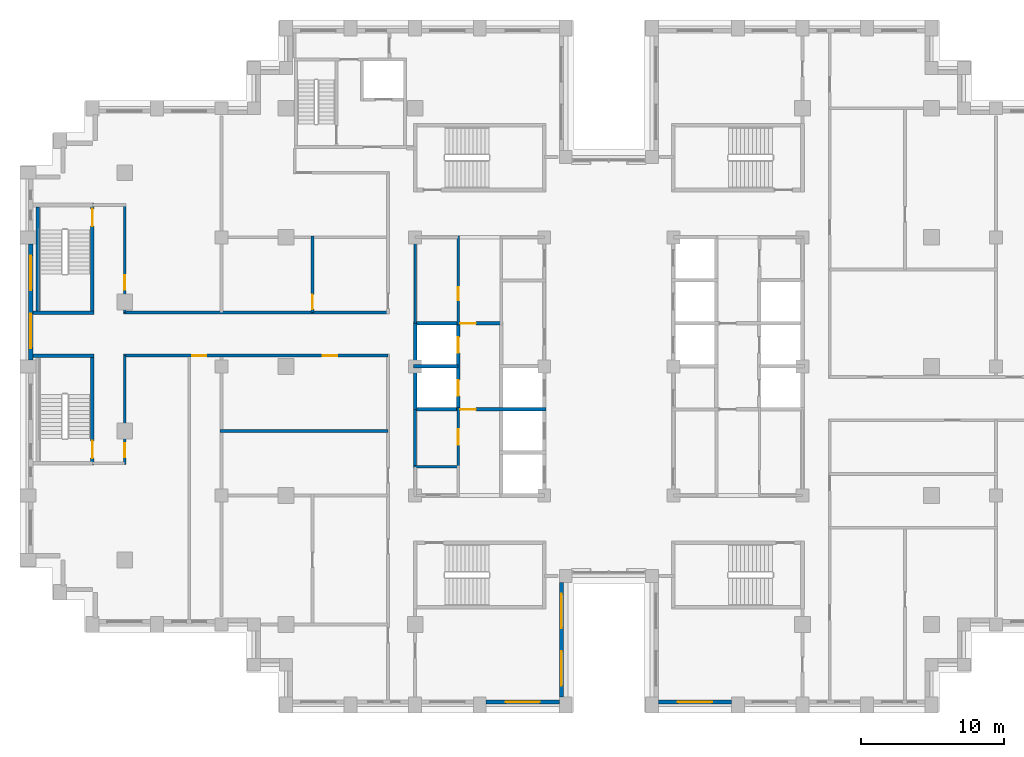
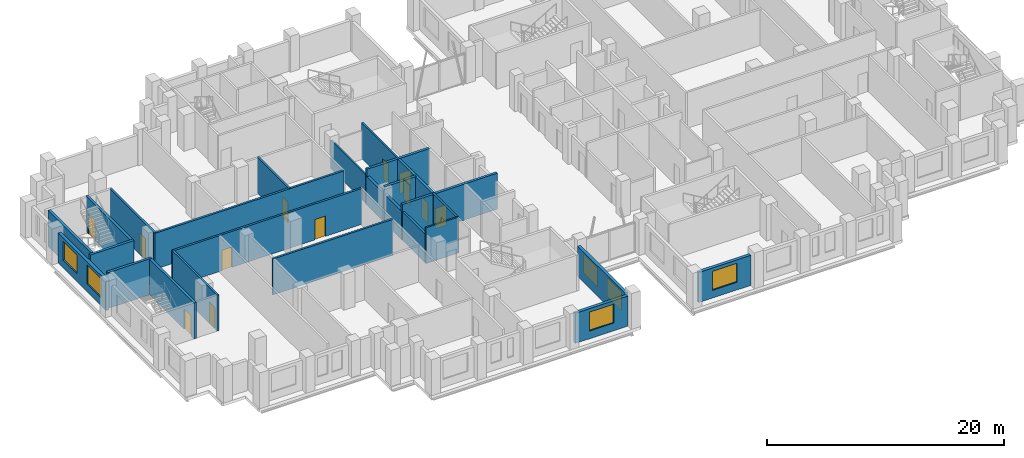
# One storey, part 7 of 16: 25 walls, 13 doors, 6 windows, 19 openings.
"""IFC4 building model written with IfcOpenShell, lengths in metres."""

from ifc_helpers import new_model, si_unit, direction, frame, frame_2d, origin, place, context, subcontext, project, spatial, rectangle, extrude, material, layer, layer_set, type_object, element, fill, save


model = new_model("IFC4")

# Units and contexts
model_context = context("Model", 3, precision=1e-05, world=origin(), true_north=direction((0.0, 1.0)))
body_context = subcontext(model_context, "Body", "Model", "MODEL_VIEW")
ifc_project = project(units=[si_unit("LENGTHUNIT", "METRE"), si_unit("AREAUNIT", "SQUARE_METRE"), si_unit("VOLUMEUNIT", "CUBIC_METRE"), si_unit("PLANEANGLEUNIT", "RADIAN"), si_unit("MASSUNIT", "GRAM", prefix="KILO")], contexts=[model_context])

# Site, building, storey
site_placement = place(None, origin())
site = spatial("IfcSite", under=ifc_project, at=site_placement, CompositionType="ELEMENT")
building_placement = place(site_placement, origin())
building = spatial("IfcBuilding", under=site, at=building_placement, Name="Corbelhall Arena Tower", CompositionType="ELEMENT")
storey_placement = place(building_placement, frame((0.0, 0.0, 170.0)))
storey = spatial("IfcBuildingStorey", under=building, at=storey_placement, Name="L34", CompositionType="ELEMENT", Elevation=170.0)

# Wall, openings, windows
ifc_material_1 = material(Name="Precast concrete C40/50 with granite facing", Category="masonry")
ifc_layer_1 = layer(ifc_material_1, 0.300048828125)
ifc_layer_set_1 = layer_set([ifc_layer_1], Name="EV-IW1 Infill panel 300")
wall_type_1 = type_object("IfcWallType", Name="EV-IW1 Infill panel 300", PredefinedType="SOLIDWALL", material=ifc_layer_set_1)
wall_1_placement = place(storey_placement, frame((-40.300048828125, 8.550048828125, 0.0), z_axis=(0.0, 0.0, 1.0), x_axis=(0.0, -1.0, 0.0)))
wall_1 = element("IfcWall", 1, at=wall_1_placement, inside=storey, type_object=wall_type_1, Name="Infill panel IW1", PredefinedType="SOLIDWALL", context=body_context, shape_type="SweptSolid", body=[
    extrude(rectangle(XDim=8.10009765625, YDim=0.300048828125, at=frame_2d((4.050048828125, 0.0))), origin(), (0.0, 0.0, 1.0), 3.10009765625),
])
opening_1_placement = place(wall_1_placement, frame((0.824951171875, 0.0, 0.800048828125)))
opening_1 = element("IfcOpeningElement", 2, at=opening_1_placement, cuts=wall_1, Name="Opening WN1", PredefinedType="OPENING", context=body_context, shape_type="SweptSolid", body=[
    extrude(rectangle(XDim=2.39990234375, YDim=1.949951171875, at=frame_2d((1.199951171875, 0.97509765625))), frame((0.0, 0.14990234375, 0.0), z_axis=(0.0, -1.0, 0.0), x_axis=(1.0, 0.0, 0.0)), (0.0, 0.0, 1.0), 0.300048828125),
])
opening_2_placement = place(wall_1_placement, frame((4.875, 0.0, 0.800048828125)))
opening_2 = element("IfcOpeningElement", 3, at=opening_2_placement, cuts=wall_1, Name="Opening WN1", PredefinedType="OPENING", context=body_context, shape_type="SweptSolid", body=[
    extrude(rectangle(XDim=2.39990234375, YDim=1.949951171875, at=frame_2d((1.199951171875, 0.97509765625))), frame((0.0, 0.14990234375, 0.0), z_axis=(0.0, -1.0, 0.0), x_axis=(1.0, 0.0, 0.0)), (0.0, 0.0, 1.0), 0.300048828125),
])
ifc_material_2 = material(Name="Aluminium black anodised", Category="aluminium")
window_type = type_object("IfcWindowType", Name="EV-WN1 Office window", PartitioningType="SINGLE_PANEL", PredefinedType="WINDOW", material=ifc_material_2)
window_1_placement = place(opening_1_placement, origin())
window_1 = element("IfcWindow", 4, at=window_1_placement, inside=storey, type_object=window_type, Name="Window WN1", OverallHeight=1.949951171875, OverallWidth=2.39990234375, PartitioningType="SINGLE_PANEL", PredefinedType="WINDOW", context=body_context, shape_type="SweptSolid", body=[
    extrude(rectangle(XDim=2.39990234375, YDim=1.949951171875, at=frame_2d((1.199951171875, 0.97509765625))), frame((0.0, 0.030029296875, 0.0), z_axis=(0.0, -1.0, 0.0), x_axis=(1.0, 0.0, 0.0)), (0.0, 0.0, 1.0), 0.06005859375),
])
fill(opening_1, window_1)
window_2_placement = place(opening_2_placement, origin())
window_2 = element("IfcWindow", 5, at=window_2_placement, inside=storey, type_object=window_type, Name="Window WN1", OverallHeight=1.949951171875, OverallWidth=2.39990234375, PartitioningType="SINGLE_PANEL", PredefinedType="WINDOW", context=body_context, shape_type="SweptSolid", body=[
    extrude(rectangle(XDim=2.39990234375, YDim=1.949951171875, at=frame_2d((1.199951171875, 0.97509765625))), frame((0.0, 0.030029296875, 0.0), z_axis=(0.0, -1.0, 0.0), x_axis=(1.0, 0.0, 0.0)), (0.0, 0.0, 1.0), 0.06005859375),
])
fill(opening_2, window_2)

# Wall, opening, window
wall_2_placement = place(storey_placement, frame((-8.550048828125, -23.39990234375, 0.0), z_axis=(0.0, 0.0, 1.0), x_axis=(1.0, 0.0, 0.0)))
wall_2 = element("IfcWall", 6, at=wall_2_placement, inside=storey, type_object=wall_type_1, Name="Infill panel IW1", PredefinedType="SOLIDWALL", context=body_context, shape_type="SweptSolid", body=[
    extrude(rectangle(XDim=5.10009765625, YDim=0.300048828125, at=frame_2d((2.550048828125, 0.0))), origin(), (0.0, 0.0, 1.0), 3.10009765625),
])
opening_3_placement = place(wall_2_placement, frame((1.35009765625, 0.0, 0.800048828125)))
opening_3 = element("IfcOpeningElement", 7, at=opening_3_placement, cuts=wall_2, Name="Opening WN1", PredefinedType="OPENING", context=body_context, shape_type="SweptSolid", body=[
    extrude(rectangle(XDim=2.39990234375, YDim=1.949951171875, at=frame_2d((1.199951171875, 0.97509765625))), frame((0.0, 0.14990234375, 0.0), z_axis=(0.0, -1.0, 0.0), x_axis=(1.0, 0.0, 0.0)), (0.0, 0.0, 1.0), 0.300048828125),
])
window_3_placement = place(opening_3_placement, origin())
window_3 = element("IfcWindow", 8, at=window_3_placement, inside=storey, type_object=window_type, Name="Window WN1", OverallHeight=1.949951171875, OverallWidth=2.39990234375, PartitioningType="SINGLE_PANEL", PredefinedType="WINDOW", context=body_context, shape_type="SweptSolid", body=[
    extrude(rectangle(XDim=2.39990234375, YDim=1.949951171875, at=frame_2d((1.199951171875, 0.97509765625))), frame((0.0, 0.030029296875, 0.0), z_axis=(0.0, -1.0, 0.0), x_axis=(1.0, 0.0, 0.0)), (0.0, 0.0, 1.0), 0.06005859375),
])
fill(opening_3, window_3)

# Wall, openings, windows
wall_3_placement = place(storey_placement, frame((-3.300048828125, -23.050048828125, 0.0), z_axis=(0.0, 0.0, 1.0), x_axis=(0.0, 1.0, 0.0)))
wall_3 = element("IfcWall", 9, at=wall_3_placement, inside=storey, type_object=wall_type_1, Name="Infill panel IW1", PredefinedType="SOLIDWALL", context=body_context, shape_type="SweptSolid", body=[
    extrude(rectangle(XDim=8.0, YDim=0.300048828125, at=frame_2d((4.0, 0.0))), origin(), (0.0, 0.0, 1.0), 3.10009765625),
])
opening_4_placement = place(wall_3_placement, frame((0.800048828125, 0.0, 0.800048828125)))
opening_4 = element("IfcOpeningElement", 10, at=opening_4_placement, cuts=wall_3, Name="Opening WN1", PredefinedType="OPENING", context=body_context, shape_type="SweptSolid", body=[
    extrude(rectangle(XDim=2.39990234375, YDim=1.949951171875, at=frame_2d((1.199951171875, 0.97509765625))), frame((0.0, 0.14990234375, 0.0), z_axis=(0.0, -1.0, 0.0), x_axis=(1.0, 0.0, 0.0)), (0.0, 0.0, 1.0), 0.300048828125),
])
opening_5_placement = place(wall_3_placement, frame((4.800048828125, 0.0, 0.800048828125)))
opening_5 = element("IfcOpeningElement", 11, at=opening_5_placement, cuts=wall_3, Name="Opening WN1", PredefinedType="OPENING", context=body_context, shape_type="SweptSolid", body=[
    extrude(rectangle(XDim=2.39990234375, YDim=1.949951171875, at=frame_2d((1.199951171875, 0.97509765625))), frame((0.0, 0.14990234375, 0.0), z_axis=(0.0, -1.0, 0.0), x_axis=(1.0, 0.0, 0.0)), (0.0, 0.0, 1.0), 0.300048828125),
])
window_4_placement = place(opening_4_placement, origin())
window_4 = element("IfcWindow", 12, at=window_4_placement, inside=storey, type_object=window_type, Name="Window WN1", OverallHeight=1.949951171875, OverallWidth=2.39990234375, PartitioningType="SINGLE_PANEL", PredefinedType="WINDOW", context=body_context, shape_type="SweptSolid", body=[
    extrude(rectangle(XDim=2.39990234375, YDim=1.949951171875, at=frame_2d((1.199951171875, 0.97509765625))), frame((0.0, 0.030029296875, 0.0), z_axis=(0.0, -1.0, 0.0), x_axis=(1.0, 0.0, 0.0)), (0.0, 0.0, 1.0), 0.06005859375),
])
fill(opening_4, window_4)
window_5_placement = place(opening_5_placement, origin())
window_5 = element("IfcWindow", 13, at=window_5_placement, inside=storey, type_object=window_type, Name="Window WN1", OverallHeight=1.949951171875, OverallWidth=2.39990234375, PartitioningType="SINGLE_PANEL", PredefinedType="WINDOW", context=body_context, shape_type="SweptSolid", body=[
    extrude(rectangle(XDim=2.39990234375, YDim=1.949951171875, at=frame_2d((1.199951171875, 0.97509765625))), frame((0.0, 0.030029296875, 0.0), z_axis=(0.0, -1.0, 0.0), x_axis=(1.0, 0.0, 0.0)), (0.0, 0.0, 1.0), 0.06005859375),
])
fill(opening_5, window_5)

# Wall, opening, window
wall_4_placement = place(storey_placement, frame((3.449951171875, -23.39990234375, 0.0), z_axis=(0.0, 0.0, 1.0), x_axis=(1.0, 0.0, 0.0)))
wall_4 = element("IfcWall", 14, at=wall_4_placement, inside=storey, type_object=wall_type_1, Name="Infill panel IW1", PredefinedType="SOLIDWALL", context=body_context, shape_type="SweptSolid", body=[
    extrude(rectangle(XDim=5.10009765625, YDim=0.300048828125, at=frame_2d((2.550048828125, 0.0))), origin(), (0.0, 0.0, 1.0), 3.10009765625),
])
opening_6_placement = place(wall_4_placement, frame((1.35009765625, 0.0, 0.800048828125)))
opening_6 = element("IfcOpeningElement", 15, at=opening_6_placement, cuts=wall_4, Name="Opening WN1", PredefinedType="OPENING", context=body_context, shape_type="SweptSolid", body=[
    extrude(rectangle(XDim=2.39990234375, YDim=1.949951171875, at=frame_2d((1.199951171875, 0.97509765625))), frame((0.0, 0.14990234375, 0.0), z_axis=(0.0, -1.0, 0.0), x_axis=(1.0, 0.0, 0.0)), (0.0, 0.0, 1.0), 0.300048828125),
])
window_6_placement = place(opening_6_placement, origin())
window_6 = element("IfcWindow", 16, at=window_6_placement, inside=storey, type_object=window_type, Name="Window WN1", OverallHeight=1.949951171875, OverallWidth=2.39990234375, PartitioningType="SINGLE_PANEL", PredefinedType="WINDOW", context=body_context, shape_type="SweptSolid", body=[
    extrude(rectangle(XDim=2.39990234375, YDim=1.949951171875, at=frame_2d((1.199951171875, 0.97509765625))), frame((0.0, 0.030029296875, 0.0), z_axis=(0.0, -1.0, 0.0), x_axis=(1.0, 0.0, 0.0)), (0.0, 0.0, 1.0), 0.06005859375),
])
fill(opening_6, window_6)

# Wall
ifc_material_3 = material(Name="Gypsum board on steel stud, acoustic", Category="steel")
ifc_layer_2 = layer(ifc_material_3, 0.199951171875)
ifc_layer_set_2 = layer_set([ifc_layer_2], Name="IN-W-DM200")
wall_type_2 = type_object("IfcWallType", Name="IN-W-DM200", PredefinedType="PARTITIONING", material=ifc_layer_set_2)
wall_5_placement = place(storey_placement, frame((-33.85009765625, 3.75, 0.0), z_axis=(0.0, 0.0, 1.0), x_axis=(1.0, 0.0, 0.0)))
element("IfcWall", 17, at=wall_5_placement, inside=storey, type_object=wall_type_2, Name="Partition 002", PredefinedType="PARTITIONING", context=body_context, shape_type="SweptSolid", body=[
    extrude(rectangle(XDim=18.4501953125, YDim=0.199951171875, at=frame_2d((9.22509765625, 0.0))), origin(), (0.0, 0.0, 1.0), 3.699951171875),
])

# Wall, opening, door
wall_6_placement = place(storey_placement, frame((-33.75, 0.75, 0.0), z_axis=(0.0, 0.0, 1.0), x_axis=(0.0, -1.0, 0.0)))
wall_6 = element("IfcWall", 18, at=wall_6_placement, inside=storey, type_object=wall_type_2, Name="Partition 004", PredefinedType="PARTITIONING", context=body_context, shape_type="SweptSolid", body=[
    extrude(rectangle(XDim=7.60009765625, YDim=0.199951171875, at=frame_2d((3.800048828125, 0.0))), origin(), (0.0, 0.0, 1.0), 3.699951171875),
])
opening_7_placement = place(wall_6_placement, frame((6.10009765625, 0.0, 0.0)))
opening_7 = element("IfcOpeningElement", 19, at=opening_7_placement, cuts=wall_6, Name="Opening 10043", PredefinedType="OPENING", context=body_context, shape_type="SweptSolid", body=[
    extrude(rectangle(XDim=1.0, YDim=2.10009765625, at=frame_2d((0.5, 1.050048828125))), frame((0.0, 0.10009765625, 0.0), z_axis=(0.0, -1.0, 0.0), x_axis=(1.0, 0.0, 0.0)), (0.0, 0.0, 1.0), 0.199951171875),
])
ifc_material_4 = material(Name="Steel door set", Category="steel")
door_type_1 = type_object("IfcDoorType", Name="IN-D-SW100", OperationType="NOTDEFINED", PredefinedType="DOOR", material=ifc_material_4)
door_1_placement = place(opening_7_placement, origin())
door_1 = element("IfcDoor", 20, at=door_1_placement, inside=storey, type_object=door_type_1, Name="Door 043", OperationType="SINGLE_SWING_RIGHT", OverallHeight=2.10009765625, OverallWidth=1.0, PredefinedType="DOOR", context=body_context, shape_type="SweptSolid", body=[
    extrude(rectangle(XDim=1.0, YDim=2.10009765625, at=frame_2d((0.5, 1.050048828125))), frame((0.0, 0.02490234375, 0.0), z_axis=(0.0, -1.0, 0.0), x_axis=(1.0, 0.0, 0.0)), (0.0, 0.0, 1.0), 0.050048828125),
])
fill(opening_7, door_1)

wall_7_placement = place(storey_placement, frame((-33.75, 11.25, 0.0), z_axis=(0.0, 0.0, 1.0), x_axis=(0.0, -1.0, 0.0)))
wall_7 = element("IfcWall", 21, at=wall_7_placement, inside=storey, type_object=wall_type_2, Name="Partition 005", PredefinedType="PARTITIONING", context=body_context, shape_type="SweptSolid", body=[
    extrude(rectangle(XDim=7.5, YDim=0.199951171875, at=frame_2d((3.75, 0.0))), origin(), (0.0, 0.0, 1.0), 3.699951171875),
])
opening_8_placement = place(wall_7_placement, frame((4.89990234375, 0.0, 0.0)))
opening_8 = element("IfcOpeningElement", 22, at=opening_8_placement, cuts=wall_7, Name="Opening 10042", PredefinedType="OPENING", context=body_context, shape_type="SweptSolid", body=[
    extrude(rectangle(XDim=1.0, YDim=2.10009765625, at=frame_2d((0.5, 1.050048828125))), frame((0.0, 0.10009765625, 0.0), z_axis=(0.0, -1.0, 0.0), x_axis=(1.0, 0.0, 0.0)), (0.0, 0.0, 1.0), 0.199951171875),
])
door_2_placement = place(opening_8_placement, origin())
door_2 = element("IfcDoor", 23, at=door_2_placement, inside=storey, type_object=door_type_1, Name="Door 042", OperationType="SINGLE_SWING_LEFT", OverallHeight=2.10009765625, OverallWidth=1.0, PredefinedType="DOOR", context=body_context, shape_type="SweptSolid", body=[
    extrude(rectangle(XDim=1.0, YDim=2.10009765625, at=frame_2d((0.5, 1.050048828125))), frame((0.0, 0.02490234375, 0.0), z_axis=(0.0, -1.0, 0.0), x_axis=(1.0, 0.0, 0.0)), (0.0, 0.0, 1.0), 0.050048828125),
])
fill(opening_8, door_2)

# Wall, openings, doors
wall_8_placement = place(storey_placement, frame((-15.39990234375, 0.75, 0.0), z_axis=(0.0, 0.0, 1.0), x_axis=(-1.0, 0.0, 0.0)))
wall_8 = element("IfcWall", 24, at=wall_8_placement, inside=storey, type_object=wall_type_2, Name="Partition 007", PredefinedType="PARTITIONING", context=body_context, shape_type="SweptSolid", body=[
    extrude(rectangle(XDim=18.4501953125, YDim=0.199951171875, at=frame_2d((9.22509765625, 0.0))), origin(), (0.0, 0.0, 1.0), 3.699951171875),
])
opening_9_placement = place(wall_8_placement, frame((3.550048828125, 0.0, 0.0)))
opening_9 = element("IfcOpeningElement", 25, at=opening_9_placement, cuts=wall_8, Name="Opening 10033", PredefinedType="OPENING", context=body_context, shape_type="SweptSolid", body=[
    extrude(rectangle(XDim=1.0, YDim=2.10009765625, at=frame_2d((0.5, 1.050048828125))), frame((0.0, 0.10009765625, 0.0), z_axis=(0.0, -1.0, 0.0), x_axis=(1.0, 0.0, 0.0)), (0.0, 0.0, 1.0), 0.199951171875),
])
opening_10_placement = place(wall_8_placement, frame((12.64990234375, 0.0, 0.0)))
opening_10 = element("IfcOpeningElement", 26, at=opening_10_placement, cuts=wall_8, Name="Opening 10044", PredefinedType="OPENING", context=body_context, shape_type="SweptSolid", body=[
    extrude(rectangle(XDim=1.0, YDim=2.10009765625, at=frame_2d((0.5, 1.050048828125))), frame((0.0, 0.10009765625, 0.0), z_axis=(0.0, -1.0, 0.0), x_axis=(1.0, 0.0, 0.0)), (0.0, 0.0, 1.0), 0.199951171875),
])
door_3_placement = place(opening_9_placement, origin())
door_3 = element("IfcDoor", 27, at=door_3_placement, inside=storey, type_object=door_type_1, Name="Door 033", OperationType="SINGLE_SWING_RIGHT", OverallHeight=2.10009765625, OverallWidth=1.0, PredefinedType="DOOR", context=body_context, shape_type="SweptSolid", body=[
    extrude(rectangle(XDim=1.0, YDim=2.10009765625, at=frame_2d((0.5, 1.050048828125))), frame((0.0, 0.02490234375, 0.0), z_axis=(0.0, -1.0, 0.0), x_axis=(1.0, 0.0, 0.0)), (0.0, 0.0, 1.0), 0.050048828125),
])
fill(opening_9, door_3)
door_4_placement = place(opening_10_placement, origin())
door_4 = element("IfcDoor", 28, at=door_4_placement, inside=storey, type_object=door_type_1, Name="Door 044", OperationType="SINGLE_SWING_LEFT", OverallHeight=2.10009765625, OverallWidth=1.0, PredefinedType="DOOR", context=body_context, shape_type="SweptSolid", body=[
    extrude(rectangle(XDim=1.0, YDim=2.10009765625, at=frame_2d((0.5, 1.050048828125))), frame((0.0, 0.02490234375, 0.0), z_axis=(0.0, -1.0, 0.0), x_axis=(1.0, 0.0, 0.0)), (0.0, 0.0, 1.0), 0.050048828125),
])
fill(opening_10, door_4)

# Wall
wall_9_placement = place(storey_placement, frame((-27.10009765625, -4.5, 0.0), z_axis=(0.0, 0.0, 1.0), x_axis=(1.0, 0.0, 0.0)))
element("IfcWall", 29, at=wall_9_placement, inside=storey, type_object=wall_type_2, Name="Partition 009", PredefinedType="PARTITIONING", context=body_context, shape_type="SweptSolid", body=[
    extrude(rectangle(XDim=11.7001953125, YDim=0.199951171875, at=frame_2d((5.85009765625, 0.0))), origin(), (0.0, 0.0, 1.0), 3.699951171875),
])

# Wall, opening, door
wall_10_placement = place(storey_placement, frame((-20.64990234375, 3.75, 0.0), z_axis=(0.0, 0.0, 1.0), x_axis=(0.0, 1.0, 0.0)))
wall_10 = element("IfcWall", 30, at=wall_10_placement, inside=storey, type_object=wall_type_2, Name="Partition 017", PredefinedType="PARTITIONING", context=body_context, shape_type="SweptSolid", body=[
    extrude(rectangle(XDim=5.35009765625, YDim=0.199951171875, at=frame_2d((2.675048828125, 0.0))), origin(), (0.0, 0.0, 1.0), 3.699951171875),
])
opening_11_placement = place(wall_10_placement, frame((0.25, 0.0, 0.0)))
opening_11 = element("IfcOpeningElement", 31, at=opening_11_placement, cuts=wall_10, Name="Opening 10027", PredefinedType="OPENING", context=body_context, shape_type="SweptSolid", body=[
    extrude(rectangle(XDim=1.0, YDim=2.10009765625, at=frame_2d((0.5, 1.050048828125))), frame((0.0, 0.10009765625, 0.0), z_axis=(0.0, -1.0, 0.0), x_axis=(1.0, 0.0, 0.0)), (0.0, 0.0, 1.0), 0.199951171875),
])
door_5_placement = place(opening_11_placement, origin())
door_5 = element("IfcDoor", 32, at=door_5_placement, inside=storey, type_object=door_type_1, Name="Door 027", OperationType="SINGLE_SWING_RIGHT", OverallHeight=2.10009765625, OverallWidth=1.0, PredefinedType="DOOR", context=body_context, shape_type="SweptSolid", body=[
    extrude(rectangle(XDim=1.0, YDim=2.10009765625, at=frame_2d((0.5, 1.050048828125))), frame((0.0, 0.02490234375, 0.0), z_axis=(0.0, -1.0, 0.0), x_axis=(1.0, 0.0, 0.0)), (0.0, 0.0, 1.0), 0.050048828125),
])
fill(opening_11, door_5)

ifc_material_5 = material(Name="Concrete block wall", Category="concrete")
ifc_layer_3 = layer(ifc_material_5, 0.199951171875)
ifc_layer_set_3 = layer_set([ifc_layer_3], Name="IN-W-RS200")
wall_type_3 = type_object("IfcWallType", Name="IN-W-RS200", PredefinedType="SOLIDWALL", material=ifc_layer_set_3)
wall_11_placement = place(storey_placement, frame((-10.5, -7.074951171875, 0.0), z_axis=(0.0, 0.0, 1.0), x_axis=(0.0, 1.0, 0.0)))
wall_11 = element("IfcWall", 33, at=wall_11_placement, inside=storey, type_object=wall_type_3, Name="Partition 049", PredefinedType="SOLIDWALL", context=body_context, shape_type="SweptSolid", body=[
    extrude(rectangle(XDim=4.199951171875, YDim=0.199951171875, at=frame_2d((2.10009765625, 0.0))), origin(), (0.0, 0.0, 1.0), 3.699951171875),
])
opening_12_placement = place(wall_11_placement, frame((1.60009765625, 0.0, 0.0)))
opening_12 = element("IfcOpeningElement", 34, at=opening_12_placement, cuts=wall_11, Name="Opening 10006", PredefinedType="OPENING", context=body_context, shape_type="SweptSolid", body=[
    extrude(rectangle(XDim=1.10009765625, YDim=2.10009765625, at=frame_2d((0.550048828125, 1.050048828125))), frame((0.0, 0.10009765625, 0.0), z_axis=(0.0, -1.0, 0.0), x_axis=(1.0, 0.0, 0.0)), (0.0, 0.0, 1.0), 0.199951171875),
])
door_type_2 = type_object("IfcDoorType", Name="IN-D-FD110", OperationType="NOTDEFINED", PredefinedType="DOOR", material=ifc_material_4)
door_6_placement = place(opening_12_placement, origin())
door_6 = element("IfcDoor", 35, at=door_6_placement, inside=storey, type_object=door_type_2, Name="Door 006", OperationType="SINGLE_SWING_LEFT", OverallHeight=2.10009765625, OverallWidth=1.10009765625, PredefinedType="DOOR", context=body_context, shape_type="SweptSolid", body=[
    extrude(rectangle(XDim=1.10009765625, YDim=2.10009765625, at=frame_2d((0.550048828125, 1.050048828125))), frame((0.0, 0.02490234375, 0.0), z_axis=(0.0, -1.0, 0.0), x_axis=(1.0, 0.0, 0.0)), (0.0, 0.0, 1.0), 0.050048828125),
])
fill(opening_12, door_6)

# Walls
ifc_layer_4 = layer(ifc_material_5, 0.199951171875)
ifc_layer_set_4 = layer_set([ifc_layer_4], Name="IN-W-RS200 under beam 762 mm")
wall_type_4 = type_object("IfcWallType", Name="IN-W-RS200 under beam 762 mm", PredefinedType="SOLIDWALL", material=ifc_layer_set_4)
wall_12_placement = place(storey_placement, frame((-13.5, -7.0, 0.0), z_axis=(0.0, 0.0, 1.0), x_axis=(0.0, 1.0, 0.0)))
element("IfcWall", 36, at=wall_12_placement, inside=storey, type_object=wall_type_4, Name="Partition 048", PredefinedType="SOLIDWALL", context=body_context, shape_type="SweptSolid", body=[
    extrude(rectangle(XDim=4.0, YDim=0.199951171875, at=frame_2d((2.0, 0.0))), origin(), (0.0, 0.0, 1.0), 2.93798828125),
])
ifc_material_6 = material(Name="Concrete C40/50", Category="concrete")
ifc_layer_5 = layer(ifc_material_6, 0.25)
ifc_layer_set_5 = layer_set([ifc_layer_5], Name="IN-W-SH250")
wall_type_5 = type_object("IfcWallType", Name="IN-W-SH250", PredefinedType="SOLIDWALL", material=ifc_layer_set_5)
wall_13_placement = place(storey_placement, frame((-13.625, 0.0, 0.0), z_axis=(0.0, 0.0, 1.0), x_axis=(1.0, 0.0, 0.0)))
element("IfcWall", 37, at=wall_13_placement, inside=storey, type_object=wall_type_5, Name="Shaft wall 061", PredefinedType="SOLIDWALL", context=body_context, shape_type="SweptSolid", body=[
    extrude(rectangle(XDim=3.125, YDim=0.25, at=frame_2d((1.5625, 0.0))), origin(), (0.0, 0.0, 1.0), 3.699951171875),
])

# Wall, opening, door
wall_14_placement = place(storey_placement, frame((-13.625, 3.0, 0.0), z_axis=(0.0, 0.0, 1.0), x_axis=(1.0, 0.0, 0.0)))
wall_14 = element("IfcWall", 38, at=wall_14_placement, inside=storey, type_object=wall_type_5, Name="Shaft wall 062", PredefinedType="SOLIDWALL", context=body_context, shape_type="SweptSolid", body=[
    extrude(rectangle(XDim=6.125, YDim=0.25, at=frame_2d((3.0625, 0.0))), origin(), (0.0, 0.0, 1.0), 3.699951171875),
])
opening_13_placement = place(wall_14_placement, frame((3.25, 0.0, 0.0)))
opening_13 = element("IfcOpeningElement", 39, at=opening_13_placement, cuts=wall_14, Name="Opening 10004", PredefinedType="OPENING", context=body_context, shape_type="SweptSolid", body=[
    extrude(rectangle(XDim=1.10009765625, YDim=2.10009765625, at=frame_2d((0.550048828125, 1.050048828125))), frame((0.0, 0.125, 0.0), z_axis=(0.0, -1.0, 0.0), x_axis=(1.0, 0.0, 0.0)), (0.0, 0.0, 1.0), 0.25),
])
door_7_placement = place(opening_13_placement, origin())
door_7 = element("IfcDoor", 40, at=door_7_placement, inside=storey, type_object=door_type_2, Name="Door 004", OperationType="SINGLE_SWING_LEFT", OverallHeight=2.10009765625, OverallWidth=1.10009765625, PredefinedType="DOOR", context=body_context, shape_type="SweptSolid", body=[
    extrude(rectangle(XDim=1.10009765625, YDim=2.10009765625, at=frame_2d((0.550048828125, 1.050048828125))), frame((0.0, 0.02490234375, 0.0), z_axis=(0.0, -1.0, 0.0), x_axis=(1.0, 0.0, 0.0)), (0.0, 0.0, 1.0), 0.050048828125),
])
fill(opening_13, door_7)

wall_15_placement = place(storey_placement, frame((-13.625, -3.0, 0.0), z_axis=(0.0, 0.0, 1.0), x_axis=(1.0, 0.0, 0.0)))
wall_15 = element("IfcWall", 41, at=wall_15_placement, inside=storey, type_object=wall_type_5, Name="Shaft wall 064", PredefinedType="SOLIDWALL", context=body_context, shape_type="SweptSolid", body=[
    extrude(rectangle(XDim=9.25, YDim=0.25, at=frame_2d((4.625, 0.0))), origin(), (0.0, 0.0, 1.0), 3.699951171875),
])
opening_14_placement = place(wall_15_placement, frame((3.25, 0.0, 0.0)))
opening_14 = element("IfcOpeningElement", 42, at=opening_14_placement, cuts=wall_15, Name="Opening 10003", PredefinedType="OPENING", context=body_context, shape_type="SweptSolid", body=[
    extrude(rectangle(XDim=1.10009765625, YDim=2.10009765625, at=frame_2d((0.550048828125, 1.050048828125))), frame((0.0, 0.125, 0.0), z_axis=(0.0, -1.0, 0.0), x_axis=(1.0, 0.0, 0.0)), (0.0, 0.0, 1.0), 0.25),
])
door_8_placement = place(opening_14_placement, origin())
door_8 = element("IfcDoor", 43, at=door_8_placement, inside=storey, type_object=door_type_2, Name="Door 003", OperationType="SINGLE_SWING_RIGHT", OverallHeight=2.10009765625, OverallWidth=1.10009765625, PredefinedType="DOOR", context=body_context, shape_type="SweptSolid", body=[
    extrude(rectangle(XDim=1.10009765625, YDim=2.10009765625, at=frame_2d((0.550048828125, 1.050048828125))), frame((0.0, 0.02490234375, 0.0), z_axis=(0.0, -1.0, 0.0), x_axis=(1.0, 0.0, 0.0)), (0.0, 0.0, 1.0), 0.050048828125),
])
fill(opening_14, door_8)

# Wall, openings, doors
wall_16_placement = place(storey_placement, frame((-10.5, -3.125, 0.0), z_axis=(0.0, 0.0, 1.0), x_axis=(0.0, 1.0, 0.0)))
wall_16 = element("IfcWall", 44, at=wall_16_placement, inside=storey, type_object=wall_type_5, Name="Shaft wall 065", PredefinedType="SOLIDWALL", context=body_context, shape_type="SweptSolid", body=[
    extrude(rectangle(XDim=6.25, YDim=0.25, at=frame_2d((3.125, 0.0))), origin(), (0.0, 0.0, 1.0), 3.699951171875),
])
opening_15_placement = place(wall_16_placement, frame((1.074951171875, 0.0, 0.0)))
opening_15 = element("IfcOpeningElement", 45, at=opening_15_placement, cuts=wall_16, Name="Opening LD", PredefinedType="OPENING", context=body_context, shape_type="SweptSolid", body=[
    extrude(rectangle(XDim=1.10009765625, YDim=2.10009765625, at=frame_2d((0.550048828125, 1.050048828125))), frame((0.0, 0.125, 0.0), z_axis=(0.0, -1.0, 0.0), x_axis=(1.0, 0.0, 0.0)), (0.0, 0.0, 1.0), 0.25),
])
opening_16_placement = place(wall_16_placement, frame((4.074951171875, 0.0, 0.0)))
opening_16 = element("IfcOpeningElement", 46, at=opening_16_placement, cuts=wall_16, Name="Opening LD", PredefinedType="OPENING", context=body_context, shape_type="SweptSolid", body=[
    extrude(rectangle(XDim=1.10009765625, YDim=2.10009765625, at=frame_2d((0.550048828125, 1.050048828125))), frame((0.0, 0.125, 0.0), z_axis=(0.0, -1.0, 0.0), x_axis=(1.0, 0.0, 0.0)), (0.0, 0.0, 1.0), 0.25),
])
door_type_3 = type_object("IfcDoorType", Name="IN-D-LD110", OperationType="NOTDEFINED", PredefinedType="DOOR", material=ifc_material_4)
door_9_placement = place(opening_15_placement, origin())
door_9 = element("IfcDoor", 47, at=door_9_placement, inside=storey, type_object=door_type_3, Name="Landing door W3", OperationType="SLIDING_TO_LEFT", OverallHeight=2.10009765625, OverallWidth=1.10009765625, PredefinedType="DOOR", context=body_context, shape_type="SweptSolid", body=[
    extrude(rectangle(XDim=1.10009765625, YDim=2.10009765625, at=frame_2d((0.550048828125, 1.050048828125))), frame((0.0, 0.02490234375, 0.0), z_axis=(0.0, -1.0, 0.0), x_axis=(1.0, 0.0, 0.0)), (0.0, 0.0, 1.0), 0.050048828125),
])
fill(opening_15, door_9)
door_10_placement = place(opening_16_placement, origin())
door_10 = element("IfcDoor", 48, at=door_10_placement, inside=storey, type_object=door_type_3, Name="Landing door W4", OperationType="SLIDING_TO_LEFT", OverallHeight=2.10009765625, OverallWidth=1.10009765625, PredefinedType="DOOR", context=body_context, shape_type="SweptSolid", body=[
    extrude(rectangle(XDim=1.10009765625, YDim=2.10009765625, at=frame_2d((0.550048828125, 1.050048828125))), frame((0.0, 0.02490234375, 0.0), z_axis=(0.0, -1.0, 0.0), x_axis=(1.0, 0.0, 0.0)), (0.0, 0.0, 1.0), 0.050048828125),
])
fill(opening_16, door_10)

# Walls
ifc_layer_6 = layer(ifc_material_6, 0.25)
ifc_layer_set_6 = layer_set([ifc_layer_6], Name="IN-W-SH250 under beam 762 mm")
wall_type_6 = type_object("IfcWallType", Name="IN-W-SH250 under beam 762 mm", PredefinedType="SOLIDWALL", material=ifc_layer_set_6)
wall_17_placement = place(storey_placement, frame((-13.5, -3.0, 0.0), z_axis=(0.0, 0.0, 1.0), x_axis=(0.0, 1.0, 0.0)))
element("IfcWall", 49, at=wall_17_placement, inside=storey, type_object=wall_type_6, Name="Shaft wall 063", PredefinedType="SOLIDWALL", context=body_context, shape_type="SweptSolid", body=[
    extrude(rectangle(XDim=6.0, YDim=0.25, at=frame_2d((3.0, 0.0))), origin(), (0.0, 0.0, 1.0), 2.93798828125),
])
ifc_layer_7 = layer(ifc_material_6, 0.25)
ifc_layer_set_7 = layer_set([ifc_layer_7], Name="IN-W-ST250")
wall_type_7 = type_object("IfcWallType", Name="IN-W-ST250", PredefinedType="SOLIDWALL", material=ifc_layer_set_7)
wall_18_placement = place(storey_placement, frame((-40.14990234375, 3.75, 0.0), z_axis=(0.0, 0.0, 1.0), x_axis=(1.0, 0.0, 0.0)))
element("IfcWall", 50, at=wall_18_placement, inside=storey, type_object=wall_type_7, Name="Shaft wall 082", PredefinedType="SOLIDWALL", context=body_context, shape_type="SweptSolid", body=[
    extrude(rectangle(XDim=4.27490234375, YDim=0.25, at=frame_2d((2.137451171875, 0.0))), origin(), (0.0, 0.0, 1.0), 3.699951171875),
])

# Wall, opening, door
wall_19_placement = place(storey_placement, frame((-36.0, 0.75, 0.0), z_axis=(0.0, 0.0, 1.0), x_axis=(0.0, -1.0, 0.0)))
wall_19 = element("IfcWall", 51, at=wall_19_placement, inside=storey, type_object=wall_type_7, Name="Shaft wall 085", PredefinedType="SOLIDWALL", context=body_context, shape_type="SweptSolid", body=[
    extrude(rectangle(XDim=7.625, YDim=0.25, at=frame_2d((3.8125, 0.0))), origin(), (0.0, 0.0, 1.0), 3.699951171875),
])
opening_17_placement = place(wall_19_placement, frame((5.949951171875, 0.0, 0.0)))
opening_17 = element("IfcOpeningElement", 52, at=opening_17_placement, cuts=wall_19, Name="Opening 10019", PredefinedType="OPENING", context=body_context, shape_type="SweptSolid", body=[
    extrude(rectangle(XDim=1.199951171875, YDim=2.10009765625, at=frame_2d((0.60009765625, 1.050048828125))), frame((0.0, 0.125, 0.0), z_axis=(0.0, -1.0, 0.0), x_axis=(1.0, 0.0, 0.0)), (0.0, 0.0, 1.0), 0.25),
])
door_type_4 = type_object("IfcDoorType", Name="IN-D-ST120", OperationType="NOTDEFINED", PredefinedType="DOOR", material=ifc_material_4)
door_11_placement = place(opening_17_placement, origin())
door_11 = element("IfcDoor", 53, at=door_11_placement, inside=storey, type_object=door_type_4, Name="Door 019", OperationType="SINGLE_SWING_RIGHT", OverallHeight=2.10009765625, OverallWidth=1.199951171875, PredefinedType="DOOR", context=body_context, shape_type="SweptSolid", body=[
    extrude(rectangle(XDim=1.199951171875, YDim=2.10009765625, at=frame_2d((0.60009765625, 1.050048828125))), frame((0.0, 0.02490234375, 0.0), z_axis=(0.0, -1.0, 0.0), x_axis=(1.0, 0.0, 0.0)), (0.0, 0.0, 1.0), 0.050048828125),
])
fill(opening_17, door_11)

wall_20_placement = place(storey_placement, frame((-36.0, 11.375, 0.0), z_axis=(0.0, 0.0, 1.0), x_axis=(0.0, -1.0, 0.0)))
wall_20 = element("IfcWall", 54, at=wall_20_placement, inside=storey, type_object=wall_type_7, Name="Shaft wall 086", PredefinedType="SOLIDWALL", context=body_context, shape_type="SweptSolid", body=[
    extrude(rectangle(XDim=7.625, YDim=0.25, at=frame_2d((3.8125, 0.0))), origin(), (0.0, 0.0, 1.0), 3.699951171875),
])
opening_18_placement = place(wall_20_placement, frame((0.39990234375, 0.0, 0.0)))
opening_18 = element("IfcOpeningElement", 55, at=opening_18_placement, cuts=wall_20, Name="Opening 10018", PredefinedType="OPENING", context=body_context, shape_type="SweptSolid", body=[
    extrude(rectangle(XDim=1.199951171875, YDim=2.10009765625, at=frame_2d((0.60009765625, 1.050048828125))), frame((0.0, 0.125, 0.0), z_axis=(0.0, -1.0, 0.0), x_axis=(1.0, 0.0, 0.0)), (0.0, 0.0, 1.0), 0.25),
])
door_12_placement = place(opening_18_placement, origin())
door_12 = element("IfcDoor", 56, at=door_12_placement, inside=storey, type_object=door_type_4, Name="Door 018", OperationType="SINGLE_SWING_LEFT", OverallHeight=2.10009765625, OverallWidth=1.199951171875, PredefinedType="DOOR", context=body_context, shape_type="SweptSolid", body=[
    extrude(rectangle(XDim=1.199951171875, YDim=2.10009765625, at=frame_2d((0.60009765625, 1.050048828125))), frame((0.0, 0.02490234375, 0.0), z_axis=(0.0, -1.0, 0.0), x_axis=(1.0, 0.0, 0.0)), (0.0, 0.0, 1.0), 0.050048828125),
])
fill(opening_18, door_12)

# Walls
wall_21_placement = place(storey_placement, frame((-35.875, 0.75, 0.0), z_axis=(0.0, 0.0, 1.0), x_axis=(-1.0, 0.0, 0.0)))
element("IfcWall", 57, at=wall_21_placement, inside=storey, type_object=wall_type_7, Name="Shaft wall 087", PredefinedType="SOLIDWALL", context=body_context, shape_type="SweptSolid", body=[
    extrude(rectangle(XDim=4.27490234375, YDim=0.25, at=frame_2d((2.137451171875, 0.0))), origin(), (0.0, 0.0, 1.0), 3.699951171875),
])
wall_22_placement = place(storey_placement, frame((-39.824951171875, 3.875, 0.0), z_axis=(0.0, 0.0, 1.0), x_axis=(0.0, 1.0, 0.0)))
element("IfcWall", 58, at=wall_22_placement, inside=storey, type_object=wall_type_7, Name="Shaft wall SC1 facade side", PredefinedType="SOLIDWALL", context=body_context, shape_type="SweptSolid", body=[
    extrude(rectangle(XDim=7.25, YDim=0.25, at=frame_2d((3.625, 0.0))), origin(), (0.0, 0.0, 1.0), 3.699951171875),
])
ifc_material_7 = material(Name="Gypsum board on steel stud, moisture resistant", Category="steel")
ifc_layer_8 = layer(ifc_material_7, 0.14990234375)
ifc_layer_set_8 = layer_set([ifc_layer_8], Name="IN-W-WC150")
wall_type_8 = type_object("IfcWallType", Name="IN-W-WC150", PredefinedType="PARTITIONING", material=ifc_layer_set_8)
wall_23_placement = place(storey_placement, frame((-13.60009765625, -7.0, 0.0), z_axis=(0.0, 0.0, 1.0), x_axis=(1.0, 0.0, 0.0)))
element("IfcWall", 59, at=wall_23_placement, inside=storey, type_object=wall_type_8, Name="Partition 110", PredefinedType="PARTITIONING", context=body_context, shape_type="SweptSolid", body=[
    extrude(rectangle(XDim=3.10009765625, YDim=0.14990234375, at=frame_2d((1.550048828125, 0.0))), origin(), (0.0, 0.0, 1.0), 3.699951171875),
])

# Wall, opening, door
wall_24_placement = place(storey_placement, frame((-10.5, 2.875, 0.0), z_axis=(0.0, 0.0, 1.0), x_axis=(0.0, 1.0, 0.0)))
wall_24 = element("IfcWall", 60, at=wall_24_placement, inside=storey, type_object=wall_type_8, Name="Partition 116", PredefinedType="PARTITIONING", context=body_context, shape_type="SweptSolid", body=[
    extrude(rectangle(XDim=6.199951171875, YDim=0.14990234375, at=frame_2d((3.10009765625, 0.0))), origin(), (0.0, 0.0, 1.0), 3.699951171875),
])
opening_19_placement = place(wall_24_placement, frame((1.75, 0.0, 0.0)))
opening_19 = element("IfcOpeningElement", 61, at=opening_19_placement, cuts=wall_24, Name="Opening 10007", PredefinedType="OPENING", context=body_context, shape_type="SweptSolid", body=[
    extrude(rectangle(XDim=0.89990234375, YDim=2.10009765625, at=frame_2d((0.449951171875, 1.050048828125))), frame((0.0, 0.074951171875, 0.0), z_axis=(0.0, -1.0, 0.0), x_axis=(1.0, 0.0, 0.0)), (0.0, 0.0, 1.0), 0.14990234375),
])
ifc_material_8 = material(Name="Timber door set", Category="wood")
door_type_5 = type_object("IfcDoorType", Name="IN-D-SW90", OperationType="NOTDEFINED", PredefinedType="DOOR", material=ifc_material_8)
door_13_placement = place(opening_19_placement, origin())
door_13 = element("IfcDoor", 62, at=door_13_placement, inside=storey, type_object=door_type_5, Name="Door 007", OperationType="SINGLE_SWING_RIGHT", OverallHeight=2.10009765625, OverallWidth=0.89990234375, PredefinedType="DOOR", context=body_context, shape_type="SweptSolid", body=[
    extrude(rectangle(XDim=0.89990234375, YDim=2.10009765625, at=frame_2d((0.449951171875, 1.050048828125))), frame((0.0, 0.02490234375, 0.0), z_axis=(0.0, -1.0, 0.0), x_axis=(1.0, 0.0, 0.0)), (0.0, 0.0, 1.0), 0.050048828125),
])
fill(opening_19, door_13)

# Wall
ifc_layer_9 = layer(ifc_material_7, 0.14990234375)
ifc_layer_set_9 = layer_set([ifc_layer_9], Name="IN-W-WC150 under beam 762 mm")
wall_type_9 = type_object("IfcWallType", Name="IN-W-WC150 under beam 762 mm", PredefinedType="PARTITIONING", material=ifc_layer_set_9)
wall_25_placement = place(storey_placement, frame((-13.5, 3.0, 0.0), z_axis=(0.0, 0.0, 1.0), x_axis=(0.0, 1.0, 0.0)))
element("IfcWall", 63, at=wall_25_placement, inside=storey, type_object=wall_type_9, Name="Partition 112", PredefinedType="PARTITIONING", context=body_context, shape_type="SweptSolid", body=[
    extrude(rectangle(XDim=6.074951171875, YDim=0.14990234375, at=frame_2d((3.03759765625, 0.0))), origin(), (0.0, 0.0, 1.0), 2.93798828125),
])

save(model, "model.ifc")
